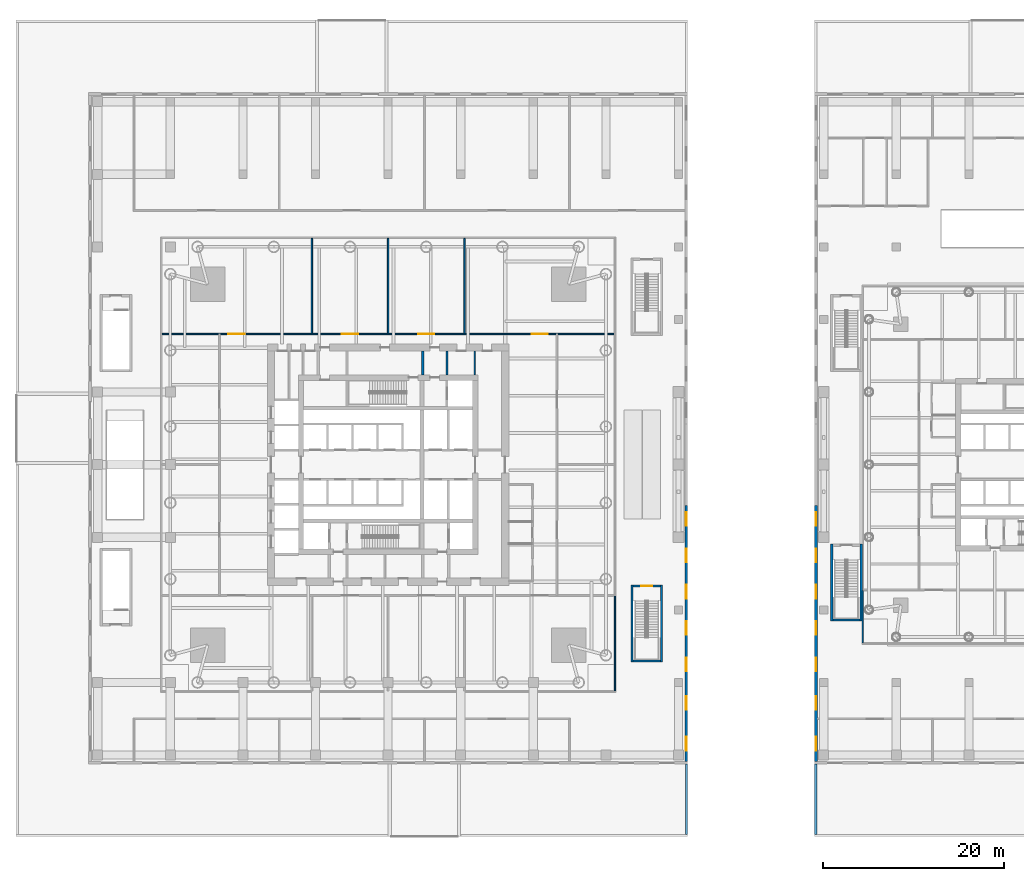
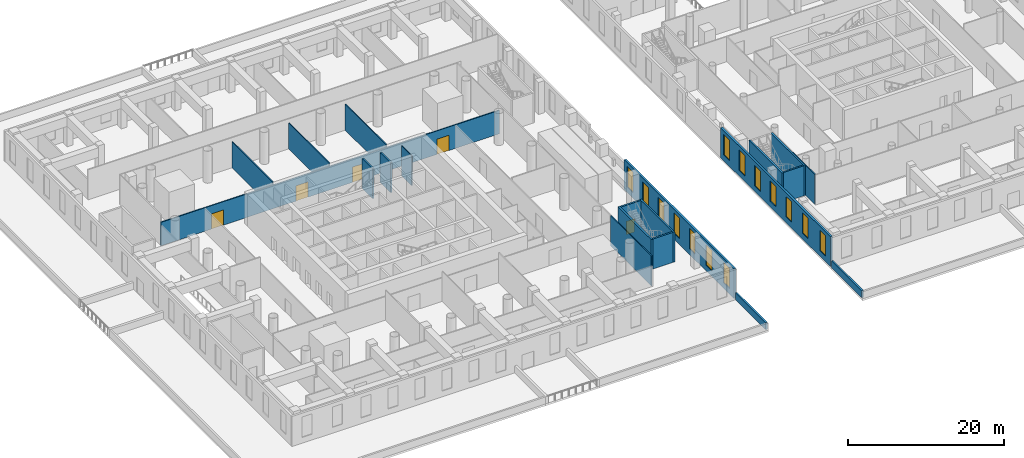
# One storey, part 13 of 26: 20 walls, 14 windows, 5 doors, 19 openings.
"""IFC4 building model written with IfcOpenShell, lengths in metres."""

from ifc_helpers import new_model, si_unit, direction, frame, frame_2d, origin, place, context, subcontext, project, spatial, rectangle, extrude, material, layer, layer_set, type_object, element, fill, save


model = new_model("IFC4")

# Units and contexts
model_context = context("Model", 3, precision=1e-05, world=origin(), true_north=direction((0.0, 1.0)))
body_context = subcontext(model_context, "Body", "Model", "MODEL_VIEW")
ifc_project = project(units=[si_unit("LENGTHUNIT", "METRE"), si_unit("AREAUNIT", "SQUARE_METRE"), si_unit("VOLUMEUNIT", "CUBIC_METRE"), si_unit("PLANEANGLEUNIT", "RADIAN"), si_unit("MASSUNIT", "GRAM", prefix="KILO")], contexts=[model_context])

# Site, building, storey
site_placement = place(None, origin())
site = spatial("IfcSite", under=ifc_project, at=site_placement, CompositionType="ELEMENT")
building_placement = place(site_placement, origin())
building = spatial("IfcBuilding", under=site, at=building_placement, Name="Ostroluk Exchange", CompositionType="ELEMENT")
storey_placement = place(building_placement, frame((0.0, 0.0, 6.0)))
storey = spatial("IfcBuildingStorey", under=building, at=storey_placement, Name="L01", CompositionType="ELEMENT", Elevation=6.0)

# Walls
ifc_material_1 = material(Name="Concrete blockwork", Category="masonry")
ifc_layer_1 = layer(ifc_material_1, 0.14990234375)
ifc_layer_set_1 = layer_set([ifc_layer_1], Name="Blockwork plant room wall 150")
wall_type_1 = type_object("IfcWallType", Name="Blockwork plant room wall 150", PredefinedType="SOLIDWALL", material=ifc_layer_set_1)
wall_1_placement = place(storey_placement, frame((54.550048828125, 55.89990234375, 0.0), z_axis=(0.0, 0.0, 1.0), x_axis=(0.0, 1.0, 0.0)))
element("IfcWall", 1, at=wall_1_placement, inside=storey, type_object=wall_type_1, Name="Core room wall", PredefinedType="SOLIDWALL", context=body_context, shape_type="SweptSolid", body=[
    extrude(rectangle(XDim=2.60009765625, YDim=0.14990234375, at=frame_2d((1.300048828125, 0.0))), origin(), (0.0, 0.0, 1.0), 4.699951171875),
])
ifc_material_2 = material(Name="Concrete blockwork", Category="masonry")
ifc_layer_2 = layer(ifc_material_2, 0.25)
ifc_layer_set_2 = layer_set([ifc_layer_2], Name="Blockwork stair enclosure wall 250")
wall_type_2 = type_object("IfcWallType", Name="Blockwork stair enclosure wall 250", PredefinedType="SOLIDWALL", material=ifc_layer_set_2)
for number, where, z_axis, x_axis, name in (
    (2, (48.804931640625, 55.89990234375, 0.0), (0.0, 0.0, 1.0), (0.0, 1.0, 0.0), "Fire lobby enclosure wall"),
    (3, (51.47509765625, 55.89990234375, 0.0), (0.0, 0.0, 1.0), (0.0, 1.0, 0.0), "Fire lobby enclosure wall"),
):
    element("IfcWall", number, at=place(storey_placement, frame(where, z_axis=z_axis, x_axis=x_axis)), inside=storey, type_object=wall_type_2, Name=name, PredefinedType="SOLIDWALL", context=body_context, shape_type="SweptSolid", body=[
        extrude(rectangle(XDim=2.60009765625, YDim=0.25, at=frame_2d((1.300048828125, 0.0))), origin(), (0.0, 0.0, 1.0), 4.699951171875),
    ])
for number, where, z_axis, x_axis, name in (
    (4, (71.875, 24.25, 0.0), (0.0, 0.0, 1.0), (0.0, 1.0, 0.0), "Stair PS3 enclosure wall"),
    (5, (75.125, 24.25, 0.0), (0.0, 0.0, 1.0), (0.0, 1.0, 0.0), "Stair PS3 enclosure wall"),
):
    element("IfcWall", number, at=place(storey_placement, frame(where, z_axis=z_axis, x_axis=x_axis)), inside=storey, type_object=wall_type_2, Name=name, PredefinedType="SOLIDWALL", context=body_context, shape_type="SweptSolid", body=[
        extrude(rectangle(XDim=8.5, YDim=0.25, at=frame_2d((4.25, 0.0))), origin(), (0.0, 0.0, 1.0), 4.699951171875),
    ])
wall_2_placement = place(storey_placement, frame((72.0, 24.375, 0.0), z_axis=(0.0, 0.0, 1.0), x_axis=(1.0, 0.0, 0.0)))
element("IfcWall", 6, at=wall_2_placement, inside=storey, type_object=wall_type_2, Name="Stair PS3 enclosure wall", PredefinedType="SOLIDWALL", context=body_context, shape_type="SweptSolid", body=[
    extrude(rectangle(XDim=3.0, YDim=0.25, at=frame_2d((1.5, 0.0))), origin(), (0.0, 0.0, 1.0), 4.699951171875),
])

# Wall, opening, door
wall_3_placement = place(storey_placement, frame((72.0, 32.625, 0.0), z_axis=(0.0, 0.0, 1.0), x_axis=(1.0, 0.0, 0.0)))
wall_3 = element("IfcWall", 7, at=wall_3_placement, inside=storey, type_object=wall_type_2, Name="Stair PS3 enclosure wall", PredefinedType="SOLIDWALL", context=body_context, shape_type="SweptSolid", body=[
    extrude(rectangle(XDim=3.0, YDim=0.25, at=frame_2d((1.5, 0.0))), origin(), (0.0, 0.0, 1.0), 4.699951171875),
])
opening_1_placement = place(wall_3_placement, frame((0.89990234375, 0.0, 0.0)))
opening_1 = element("IfcOpeningElement", 8, at=opening_1_placement, cuts=wall_3, Name="Opening FD60S", PredefinedType="OPENING", context=body_context, shape_type="SweptSolid", body=[
    extrude(rectangle(XDim=1.199951171875, YDim=2.10009765625, at=frame_2d((0.60009765625, 1.050048828125))), frame((0.0, 0.135009765625, 0.0), z_axis=(0.0, -1.0, 0.0), x_axis=(1.0, 0.0, 0.0)), (0.0, 0.0, 1.0), 0.27001953125),
])
ifc_material_3 = material(Name="Steel", Category="steel")
door_type_1 = type_object("IfcDoorType", Name="Stair door EI 60 1200 x 2100", OperationType="SINGLE_SWING_LEFT", PredefinedType="DOOR", material=ifc_material_3)
door_1_placement = place(opening_1_placement, origin())
door_1 = element("IfcDoor", 9, at=door_1_placement, inside=storey, type_object=door_type_1, Name="Stair PS3 door", OperationType="SINGLE_SWING_LEFT", OverallHeight=2.10009765625, OverallWidth=1.199951171875, PredefinedType="DOOR", context=body_context, shape_type="SweptSolid", body=[
    extrude(rectangle(XDim=1.199951171875, YDim=2.10009765625, at=frame_2d((0.60009765625, 1.050048828125))), frame((0.0, 0.02490234375, 0.0), z_axis=(0.0, -1.0, 0.0), x_axis=(1.0, 0.0, 0.0)), (0.0, 0.0, 1.0), 0.050048828125),
])
fill(opening_1, door_1)

# Walls
for number, where, z_axis, x_axis, name in (
    (10, (93.875, 28.75, 0.0), (0.0, 0.0, 1.0), (0.0, 1.0, 0.0), "Stair PS5 enclosure wall"),
    (11, (97.125, 28.75, 0.0), (0.0, 0.0, 1.0), (0.0, 1.0, 0.0), "Stair PS5 enclosure wall"),
):
    element("IfcWall", number, at=place(storey_placement, frame(where, z_axis=z_axis, x_axis=x_axis)), inside=storey, type_object=wall_type_2, Name=name, PredefinedType="SOLIDWALL", context=body_context, shape_type="SweptSolid", body=[
        extrude(rectangle(XDim=8.5, YDim=0.25, at=frame_2d((4.25, 0.0))), origin(), (0.0, 0.0, 1.0), 4.699951171875),
    ])
wall_4_placement = place(storey_placement, frame((94.0, 28.875, 0.0), z_axis=(0.0, 0.0, 1.0), x_axis=(1.0, 0.0, 0.0)))
element("IfcWall", 12, at=wall_4_placement, inside=storey, type_object=wall_type_2, Name="Stair PS5 enclosure wall", PredefinedType="SOLIDWALL", context=body_context, shape_type="SweptSolid", body=[
    extrude(rectangle(XDim=3.0, YDim=0.25, at=frame_2d((1.5, 0.0))), origin(), (0.0, 0.0, 1.0), 4.699951171875),
])
ifc_material_4 = material(Name="Limestone", Category="masonry")
ifc_layer_3 = layer(ifc_material_4, 0.25)
ifc_layer_set_3 = layer_set([ifc_layer_3], Name="Green roof parapet 250")
wall_type_3 = type_object("IfcWallType", Name="Green roof parapet 250", PredefinedType="PARAPET", material=ifc_layer_set_3)
for number, where, z_axis, x_axis, name in (
    (13, (77.875, 5.25, 0.0), (0.0, 0.0, 1.0), (0.0, 1.0, 0.0), "Green roof parapet L01 2"),
    (14, (92.125, 5.25, 0.0), (0.0, 0.0, 1.0), (0.0, 1.0, 0.0), "Green roof parapet L01 2"),
):
    element("IfcWall", number, at=place(storey_placement, frame(where, z_axis=z_axis, x_axis=x_axis)), inside=storey, type_object=wall_type_3, Name=name, PredefinedType="PARAPET", context=body_context, shape_type="SweptSolid", body=[
        extrude(rectangle(XDim=7.739990234375, YDim=0.25, at=frame_2d((3.8701171875, 0.0))), origin(), (0.0, 0.0, 1.0), 1.10009765625),
    ])

# Wall, openings, windows
ifc_material_5 = material(Name="Limestone", Category="masonry")
ifc_layer_4 = layer(ifc_material_5, 0.300048828125)
ifc_layer_set_4 = layer_set([ifc_layer_4], Name="Limestone facade wall 300")
wall_type_4 = type_object("IfcWallType", Name="Limestone facade wall 300", PredefinedType="SOLIDWALL", material=ifc_layer_set_4)
wall_5_placement = place(storey_placement, frame((77.85009765625, 13.300048828125, 0.0), z_axis=(0.0, 0.0, 1.0), x_axis=(0.0, 1.0, 0.0)))
wall_5 = element("IfcWall", 15, at=wall_5_placement, inside=storey, type_object=wall_type_4, Name="Podium west E wall L01 1a", PredefinedType="SOLIDWALL", context=body_context, shape_type="SweptSolid", body=[
    extrude(rectangle(XDim=28.199951171875, YDim=0.300048828125, at=frame_2d((14.10009765625, 0.0))), origin(), (0.0, 0.0, 1.0), 4.699951171875),
])
opening_2_placement = place(wall_5_placement, frame((1.199951171875, 0.0, 0.89990234375)))
opening_2 = element("IfcOpeningElement", 16, at=opening_2_placement, cuts=wall_5, Name="Opening WN-L2", PredefinedType="OPENING", context=body_context, shape_type="SweptSolid", body=[
    extrude(rectangle(XDim=1.5, YDim=3.199951171875, at=frame_2d((0.75, 1.60009765625))), frame((0.0, 0.159912109375, 0.0), z_axis=(0.0, -1.0, 0.0), x_axis=(1.0, 0.0, 0.0)), (0.0, 0.0, 1.0), 0.320068359375),
])
opening_3_placement = place(wall_5_placement, frame((5.699951171875, 0.0, 0.89990234375)))
opening_3 = element("IfcOpeningElement", 17, at=opening_3_placement, cuts=wall_5, Name="Opening WN-L2", PredefinedType="OPENING", context=body_context, shape_type="SweptSolid", body=[
    extrude(rectangle(XDim=1.5, YDim=3.199951171875, at=frame_2d((0.75, 1.60009765625))), frame((0.0, 0.159912109375, 0.0), z_axis=(0.0, -1.0, 0.0), x_axis=(1.0, 0.0, 0.0)), (0.0, 0.0, 1.0), 0.320068359375),
])
opening_4_placement = place(wall_5_placement, frame((9.949951171875, 0.0, 0.89990234375)))
opening_4 = element("IfcOpeningElement", 18, at=opening_4_placement, cuts=wall_5, Name="Opening WN-L2", PredefinedType="OPENING", context=body_context, shape_type="SweptSolid", body=[
    extrude(rectangle(XDim=1.5, YDim=3.199951171875, at=frame_2d((0.75, 1.60009765625))), frame((0.0, 0.159912109375, 0.0), z_axis=(0.0, -1.0, 0.0), x_axis=(1.0, 0.0, 0.0)), (0.0, 0.0, 1.0), 0.320068359375),
])
opening_5_placement = place(wall_5_placement, frame((13.949951171875, 0.0, 0.89990234375)))
opening_5 = element("IfcOpeningElement", 19, at=opening_5_placement, cuts=wall_5, Name="Opening WN-L2", PredefinedType="OPENING", context=body_context, shape_type="SweptSolid", body=[
    extrude(rectangle(XDim=1.5, YDim=3.199951171875, at=frame_2d((0.75, 1.60009765625))), frame((0.0, 0.159912109375, 0.0), z_axis=(0.0, -1.0, 0.0), x_axis=(1.0, 0.0, 0.0)), (0.0, 0.0, 1.0), 0.320068359375),
])
opening_6_placement = place(wall_5_placement, frame((17.949951171875, 0.0, 0.89990234375)))
opening_6 = element("IfcOpeningElement", 20, at=opening_6_placement, cuts=wall_5, Name="Opening WN-L2", PredefinedType="OPENING", context=body_context, shape_type="SweptSolid", body=[
    extrude(rectangle(XDim=1.5, YDim=3.199951171875, at=frame_2d((0.75, 1.60009765625))), frame((0.0, 0.159912109375, 0.0), z_axis=(0.0, -1.0, 0.0), x_axis=(1.0, 0.0, 0.0)), (0.0, 0.0, 1.0), 0.320068359375),
])
opening_7_placement = place(wall_5_placement, frame((21.949951171875, 0.0, 0.89990234375)))
opening_7 = element("IfcOpeningElement", 21, at=opening_7_placement, cuts=wall_5, Name="Opening WN-L2", PredefinedType="OPENING", context=body_context, shape_type="SweptSolid", body=[
    extrude(rectangle(XDim=1.5, YDim=3.199951171875, at=frame_2d((0.75, 1.60009765625))), frame((0.0, 0.159912109375, 0.0), z_axis=(0.0, -1.0, 0.0), x_axis=(1.0, 0.0, 0.0)), (0.0, 0.0, 1.0), 0.320068359375),
])
opening_8_placement = place(wall_5_placement, frame((25.949951171875, 0.0, 0.89990234375)))
opening_8 = element("IfcOpeningElement", 22, at=opening_8_placement, cuts=wall_5, Name="Opening WN-L2", PredefinedType="OPENING", context=body_context, shape_type="SweptSolid", body=[
    extrude(rectangle(XDim=1.5, YDim=3.199951171875, at=frame_2d((0.75, 1.60009765625))), frame((0.0, 0.159912109375, 0.0), z_axis=(0.0, -1.0, 0.0), x_axis=(1.0, 0.0, 0.0)), (0.0, 0.0, 1.0), 0.320068359375),
])
ifc_material_6 = material(Name="Laminated clear glass", Category="glass")
window_type = type_object("IfcWindowType", Name="Podium lancet window 1500 x 3200", PartitioningType="DOUBLE_PANEL_VERTICAL", PredefinedType="WINDOW", material=ifc_material_6)
window_1_placement = place(opening_2_placement, origin())
window_1 = element("IfcWindow", 23, at=window_1_placement, inside=storey, type_object=window_type, Name="Podium west lancet window E L01 1.1", OverallHeight=3.199951171875, OverallWidth=1.5, PartitioningType="SINGLE_PANEL", PredefinedType="WINDOW", context=body_context, shape_type="SweptSolid", body=[
    extrude(rectangle(XDim=1.5, YDim=3.199951171875, at=frame_2d((0.75, 1.60009765625))), frame((0.0, 0.030029296875, 0.0), z_axis=(0.0, -1.0, 0.0), x_axis=(1.0, 0.0, 0.0)), (0.0, 0.0, 1.0), 0.06005859375),
])
fill(opening_2, window_1)
window_2_placement = place(opening_3_placement, origin())
window_2 = element("IfcWindow", 24, at=window_2_placement, inside=storey, type_object=window_type, Name="Podium west lancet window E L01 1.2", OverallHeight=3.199951171875, OverallWidth=1.5, PartitioningType="SINGLE_PANEL", PredefinedType="WINDOW", context=body_context, shape_type="SweptSolid", body=[
    extrude(rectangle(XDim=1.5, YDim=3.199951171875, at=frame_2d((0.75, 1.60009765625))), frame((0.0, 0.030029296875, 0.0), z_axis=(0.0, -1.0, 0.0), x_axis=(1.0, 0.0, 0.0)), (0.0, 0.0, 1.0), 0.06005859375),
])
fill(opening_3, window_2)
window_3_placement = place(opening_4_placement, origin())
window_3 = element("IfcWindow", 25, at=window_3_placement, inside=storey, type_object=window_type, Name="Podium west lancet window E L01 2.1", OverallHeight=3.199951171875, OverallWidth=1.5, PartitioningType="SINGLE_PANEL", PredefinedType="WINDOW", context=body_context, shape_type="SweptSolid", body=[
    extrude(rectangle(XDim=1.5, YDim=3.199951171875, at=frame_2d((0.75, 1.60009765625))), frame((0.0, 0.030029296875, 0.0), z_axis=(0.0, -1.0, 0.0), x_axis=(1.0, 0.0, 0.0)), (0.0, 0.0, 1.0), 0.06005859375),
])
fill(opening_4, window_3)
window_4_placement = place(opening_5_placement, origin())
window_4 = element("IfcWindow", 26, at=window_4_placement, inside=storey, type_object=window_type, Name="Podium west lancet window E L01 2.2", OverallHeight=3.199951171875, OverallWidth=1.5, PartitioningType="SINGLE_PANEL", PredefinedType="WINDOW", context=body_context, shape_type="SweptSolid", body=[
    extrude(rectangle(XDim=1.5, YDim=3.199951171875, at=frame_2d((0.75, 1.60009765625))), frame((0.0, 0.030029296875, 0.0), z_axis=(0.0, -1.0, 0.0), x_axis=(1.0, 0.0, 0.0)), (0.0, 0.0, 1.0), 0.06005859375),
])
fill(opening_5, window_4)
window_5_placement = place(opening_6_placement, origin())
window_5 = element("IfcWindow", 27, at=window_5_placement, inside=storey, type_object=window_type, Name="Podium west lancet window E L01 3.1", OverallHeight=3.199951171875, OverallWidth=1.5, PartitioningType="SINGLE_PANEL", PredefinedType="WINDOW", context=body_context, shape_type="SweptSolid", body=[
    extrude(rectangle(XDim=1.5, YDim=3.199951171875, at=frame_2d((0.75, 1.60009765625))), frame((0.0, 0.030029296875, 0.0), z_axis=(0.0, -1.0, 0.0), x_axis=(1.0, 0.0, 0.0)), (0.0, 0.0, 1.0), 0.06005859375),
])
fill(opening_6, window_5)
window_6_placement = place(opening_7_placement, origin())
window_6 = element("IfcWindow", 28, at=window_6_placement, inside=storey, type_object=window_type, Name="Podium west lancet window E L01 3.2", OverallHeight=3.199951171875, OverallWidth=1.5, PartitioningType="SINGLE_PANEL", PredefinedType="WINDOW", context=body_context, shape_type="SweptSolid", body=[
    extrude(rectangle(XDim=1.5, YDim=3.199951171875, at=frame_2d((0.75, 1.60009765625))), frame((0.0, 0.030029296875, 0.0), z_axis=(0.0, -1.0, 0.0), x_axis=(1.0, 0.0, 0.0)), (0.0, 0.0, 1.0), 0.06005859375),
])
fill(opening_7, window_6)
window_7_placement = place(opening_8_placement, origin())
window_7 = element("IfcWindow", 29, at=window_7_placement, inside=storey, type_object=window_type, Name="Podium west lancet window E L01 4.1", OverallHeight=3.199951171875, OverallWidth=1.5, PartitioningType="SINGLE_PANEL", PredefinedType="WINDOW", context=body_context, shape_type="SweptSolid", body=[
    extrude(rectangle(XDim=1.5, YDim=3.199951171875, at=frame_2d((0.75, 1.60009765625))), frame((0.0, 0.030029296875, 0.0), z_axis=(0.0, -1.0, 0.0), x_axis=(1.0, 0.0, 0.0)), (0.0, 0.0, 1.0), 0.06005859375),
])
fill(opening_8, window_7)

wall_6_placement = place(storey_placement, frame((92.14990234375, 41.5, 0.0), z_axis=(0.0, 0.0, 1.0), x_axis=(0.0, -1.0, 0.0)))
wall_6 = element("IfcWall", 30, at=wall_6_placement, inside=storey, type_object=wall_type_4, Name="Podium east W wall L01 1c", PredefinedType="SOLIDWALL", context=body_context, shape_type="SweptSolid", body=[
    extrude(rectangle(XDim=28.199951171875, YDim=0.300048828125, at=frame_2d((14.10009765625, 0.0))), origin(), (0.0, 0.0, 1.0), 4.699951171875),
])
opening_9_placement = place(wall_6_placement, frame((0.75, 0.0, 0.89990234375)))
opening_9 = element("IfcOpeningElement", 31, at=opening_9_placement, cuts=wall_6, Name="Opening WN-L2", PredefinedType="OPENING", context=body_context, shape_type="SweptSolid", body=[
    extrude(rectangle(XDim=1.5, YDim=3.199951171875, at=frame_2d((0.75, 1.60009765625))), frame((0.0, 0.159912109375, 0.0), z_axis=(0.0, -1.0, 0.0), x_axis=(1.0, 0.0, 0.0)), (0.0, 0.0, 1.0), 0.320068359375),
])
opening_10_placement = place(wall_6_placement, frame((4.75, 0.0, 0.89990234375)))
opening_10 = element("IfcOpeningElement", 32, at=opening_10_placement, cuts=wall_6, Name="Opening WN-L2", PredefinedType="OPENING", context=body_context, shape_type="SweptSolid", body=[
    extrude(rectangle(XDim=1.5, YDim=3.199951171875, at=frame_2d((0.75, 1.60009765625))), frame((0.0, 0.159912109375, 0.0), z_axis=(0.0, -1.0, 0.0), x_axis=(1.0, 0.0, 0.0)), (0.0, 0.0, 1.0), 0.320068359375),
])
opening_11_placement = place(wall_6_placement, frame((8.75, 0.0, 0.89990234375)))
opening_11 = element("IfcOpeningElement", 33, at=opening_11_placement, cuts=wall_6, Name="Opening WN-L2", PredefinedType="OPENING", context=body_context, shape_type="SweptSolid", body=[
    extrude(rectangle(XDim=1.5, YDim=3.199951171875, at=frame_2d((0.75, 1.60009765625))), frame((0.0, 0.159912109375, 0.0), z_axis=(0.0, -1.0, 0.0), x_axis=(1.0, 0.0, 0.0)), (0.0, 0.0, 1.0), 0.320068359375),
])
opening_12_placement = place(wall_6_placement, frame((12.75, 0.0, 0.89990234375)))
opening_12 = element("IfcOpeningElement", 34, at=opening_12_placement, cuts=wall_6, Name="Opening WN-L2", PredefinedType="OPENING", context=body_context, shape_type="SweptSolid", body=[
    extrude(rectangle(XDim=1.5, YDim=3.199951171875, at=frame_2d((0.75, 1.60009765625))), frame((0.0, 0.159912109375, 0.0), z_axis=(0.0, -1.0, 0.0), x_axis=(1.0, 0.0, 0.0)), (0.0, 0.0, 1.0), 0.320068359375),
])
opening_13_placement = place(wall_6_placement, frame((16.75, 0.0, 0.89990234375)))
opening_13 = element("IfcOpeningElement", 35, at=opening_13_placement, cuts=wall_6, Name="Opening WN-L2", PredefinedType="OPENING", context=body_context, shape_type="SweptSolid", body=[
    extrude(rectangle(XDim=1.5, YDim=3.199951171875, at=frame_2d((0.75, 1.60009765625))), frame((0.0, 0.159912109375, 0.0), z_axis=(0.0, -1.0, 0.0), x_axis=(1.0, 0.0, 0.0)), (0.0, 0.0, 1.0), 0.320068359375),
])
opening_14_placement = place(wall_6_placement, frame((21.0, 0.0, 0.89990234375)))
opening_14 = element("IfcOpeningElement", 36, at=opening_14_placement, cuts=wall_6, Name="Opening WN-L2", PredefinedType="OPENING", context=body_context, shape_type="SweptSolid", body=[
    extrude(rectangle(XDim=1.5, YDim=3.199951171875, at=frame_2d((0.75, 1.60009765625))), frame((0.0, 0.159912109375, 0.0), z_axis=(0.0, -1.0, 0.0), x_axis=(1.0, 0.0, 0.0)), (0.0, 0.0, 1.0), 0.320068359375),
])
opening_15_placement = place(wall_6_placement, frame((25.5, 0.0, 0.89990234375)))
opening_15 = element("IfcOpeningElement", 37, at=opening_15_placement, cuts=wall_6, Name="Opening WN-L2", PredefinedType="OPENING", context=body_context, shape_type="SweptSolid", body=[
    extrude(rectangle(XDim=1.5, YDim=3.199951171875, at=frame_2d((0.75, 1.60009765625))), frame((0.0, 0.159912109375, 0.0), z_axis=(0.0, -1.0, 0.0), x_axis=(1.0, 0.0, 0.0)), (0.0, 0.0, 1.0), 0.320068359375),
])
window_8_placement = place(opening_9_placement, origin())
window_8 = element("IfcWindow", 38, at=window_8_placement, inside=storey, type_object=window_type, Name="Podium east lancet window W L01 6.2", OverallHeight=3.199951171875, OverallWidth=1.5, PartitioningType="SINGLE_PANEL", PredefinedType="WINDOW", context=body_context, shape_type="SweptSolid", body=[
    extrude(rectangle(XDim=1.5, YDim=3.199951171875, at=frame_2d((0.75, 1.60009765625))), frame((0.0, 0.030029296875, 0.0), z_axis=(0.0, -1.0, 0.0), x_axis=(1.0, 0.0, 0.0)), (0.0, 0.0, 1.0), 0.06005859375),
])
fill(opening_9, window_8)
window_9_placement = place(opening_10_placement, origin())
window_9 = element("IfcWindow", 39, at=window_9_placement, inside=storey, type_object=window_type, Name="Podium east lancet window W L01 7.1", OverallHeight=3.199951171875, OverallWidth=1.5, PartitioningType="SINGLE_PANEL", PredefinedType="WINDOW", context=body_context, shape_type="SweptSolid", body=[
    extrude(rectangle(XDim=1.5, YDim=3.199951171875, at=frame_2d((0.75, 1.60009765625))), frame((0.0, 0.030029296875, 0.0), z_axis=(0.0, -1.0, 0.0), x_axis=(1.0, 0.0, 0.0)), (0.0, 0.0, 1.0), 0.06005859375),
])
fill(opening_10, window_9)
window_10_placement = place(opening_11_placement, origin())
window_10 = element("IfcWindow", 40, at=window_10_placement, inside=storey, type_object=window_type, Name="Podium east lancet window W L01 7.2", OverallHeight=3.199951171875, OverallWidth=1.5, PartitioningType="SINGLE_PANEL", PredefinedType="WINDOW", context=body_context, shape_type="SweptSolid", body=[
    extrude(rectangle(XDim=1.5, YDim=3.199951171875, at=frame_2d((0.75, 1.60009765625))), frame((0.0, 0.030029296875, 0.0), z_axis=(0.0, -1.0, 0.0), x_axis=(1.0, 0.0, 0.0)), (0.0, 0.0, 1.0), 0.06005859375),
])
fill(opening_11, window_10)
window_11_placement = place(opening_12_placement, origin())
window_11 = element("IfcWindow", 41, at=window_11_placement, inside=storey, type_object=window_type, Name="Podium east lancet window W L01 8.1", OverallHeight=3.199951171875, OverallWidth=1.5, PartitioningType="SINGLE_PANEL", PredefinedType="WINDOW", context=body_context, shape_type="SweptSolid", body=[
    extrude(rectangle(XDim=1.5, YDim=3.199951171875, at=frame_2d((0.75, 1.60009765625))), frame((0.0, 0.030029296875, 0.0), z_axis=(0.0, -1.0, 0.0), x_axis=(1.0, 0.0, 0.0)), (0.0, 0.0, 1.0), 0.06005859375),
])
fill(opening_12, window_11)
window_12_placement = place(opening_13_placement, origin())
window_12 = element("IfcWindow", 42, at=window_12_placement, inside=storey, type_object=window_type, Name="Podium east lancet window W L01 8.2", OverallHeight=3.199951171875, OverallWidth=1.5, PartitioningType="SINGLE_PANEL", PredefinedType="WINDOW", context=body_context, shape_type="SweptSolid", body=[
    extrude(rectangle(XDim=1.5, YDim=3.199951171875, at=frame_2d((0.75, 1.60009765625))), frame((0.0, 0.030029296875, 0.0), z_axis=(0.0, -1.0, 0.0), x_axis=(1.0, 0.0, 0.0)), (0.0, 0.0, 1.0), 0.06005859375),
])
fill(opening_13, window_12)
window_13_placement = place(opening_14_placement, origin())
window_13 = element("IfcWindow", 43, at=window_13_placement, inside=storey, type_object=window_type, Name="Podium east lancet window W L01 9.1", OverallHeight=3.199951171875, OverallWidth=1.5, PartitioningType="SINGLE_PANEL", PredefinedType="WINDOW", context=body_context, shape_type="SweptSolid", body=[
    extrude(rectangle(XDim=1.5, YDim=3.199951171875, at=frame_2d((0.75, 1.60009765625))), frame((0.0, 0.030029296875, 0.0), z_axis=(0.0, -1.0, 0.0), x_axis=(1.0, 0.0, 0.0)), (0.0, 0.0, 1.0), 0.06005859375),
])
fill(opening_14, window_13)
window_14_placement = place(opening_15_placement, origin())
window_14 = element("IfcWindow", 44, at=window_14_placement, inside=storey, type_object=window_type, Name="Podium east lancet window W L01 9.2", OverallHeight=3.199951171875, OverallWidth=1.5, PartitioningType="SINGLE_PANEL", PredefinedType="WINDOW", context=body_context, shape_type="SweptSolid", body=[
    extrude(rectangle(XDim=1.5, YDim=3.199951171875, at=frame_2d((0.75, 1.60009765625))), frame((0.0, 0.030029296875, 0.0), z_axis=(0.0, -1.0, 0.0), x_axis=(1.0, 0.0, 0.0)), (0.0, 0.0, 1.0), 0.06005859375),
])
fill(opening_15, window_14)

# Wall
ifc_material_7 = material(Name="Gypsum plasterboard partition", Category="gypsum")
ifc_layer_5 = layer(ifc_material_7, 0.14990234375)
ifc_layer_set_5 = layer_set([ifc_layer_5], Name="Plasterboard partition 150")
wall_type_5 = type_object("IfcWallType", Name="Plasterboard partition 150", PredefinedType="PARTITIONING", material=ifc_layer_set_5)
wall_7_placement = place(storey_placement, frame((70.0, 21.074951171875, 0.0), z_axis=(0.0, 0.0, 1.0), x_axis=(0.0, 1.0, 0.0)))
element("IfcWall", 45, at=wall_7_placement, inside=storey, type_object=wall_type_5, Name="Partition", PredefinedType="PARTITIONING", context=body_context, shape_type="SweptSolid", body=[
    extrude(rectangle(XDim=10.449951171875, YDim=0.14990234375, at=frame_2d((5.22509765625, 0.0))), origin(), (0.0, 0.0, 1.0), 4.699951171875),
])

# Wall, openings, doors
wall_8_placement = place(storey_placement, frame((19.925048828125, 60.39990234375, 0.0), z_axis=(0.0, 0.0, 1.0), x_axis=(1.0, 0.0, 0.0)))
wall_8 = element("IfcWall", 46, at=wall_8_placement, inside=storey, type_object=wall_type_5, Name="Partition", PredefinedType="PARTITIONING", context=body_context, shape_type="SweptSolid", body=[
    extrude(rectangle(XDim=50.14990234375, YDim=0.14990234375, at=frame_2d((25.074951171875, 0.0))), origin(), (0.0, 0.0, 1.0), 3.68798828125),
])
opening_16_placement = place(wall_8_placement, frame((7.47509765625, 0.0, 0.0)))
opening_16 = element("IfcOpeningElement", 47, at=opening_16_placement, cuts=wall_8, Name="Opening D-04", PredefinedType="OPENING", context=body_context, shape_type="SweptSolid", body=[
    extrude(rectangle(XDim=1.800048828125, YDim=2.39990234375, at=frame_2d((0.89990234375, 1.199951171875))), frame((0.0, 0.0849609375, 0.0), z_axis=(0.0, -1.0, 0.0), x_axis=(1.0, 0.0, 0.0)), (0.0, 0.0, 1.0), 0.169921875),
])
opening_17_placement = place(wall_8_placement, frame((19.97509765625, 0.0, 0.0)))
opening_17 = element("IfcOpeningElement", 48, at=opening_17_placement, cuts=wall_8, Name="Opening D-04", PredefinedType="OPENING", context=body_context, shape_type="SweptSolid", body=[
    extrude(rectangle(XDim=1.800048828125, YDim=2.39990234375, at=frame_2d((0.89990234375, 1.199951171875))), frame((0.0, 0.0849609375, 0.0), z_axis=(0.0, -1.0, 0.0), x_axis=(1.0, 0.0, 0.0)), (0.0, 0.0, 1.0), 0.169921875),
])
opening_18_placement = place(wall_8_placement, frame((28.375, 0.0, 0.0)))
opening_18 = element("IfcOpeningElement", 49, at=opening_18_placement, cuts=wall_8, Name="Opening D-04", PredefinedType="OPENING", context=body_context, shape_type="SweptSolid", body=[
    extrude(rectangle(XDim=1.800048828125, YDim=2.39990234375, at=frame_2d((0.89990234375, 1.199951171875))), frame((0.0, 0.0849609375, 0.0), z_axis=(0.0, -1.0, 0.0), x_axis=(1.0, 0.0, 0.0)), (0.0, 0.0, 1.0), 0.169921875),
])
opening_19_placement = place(wall_8_placement, frame((40.875, 0.0, 0.0)))
opening_19 = element("IfcOpeningElement", 50, at=opening_19_placement, cuts=wall_8, Name="Opening D-04", PredefinedType="OPENING", context=body_context, shape_type="SweptSolid", body=[
    extrude(rectangle(XDim=1.800048828125, YDim=2.39990234375, at=frame_2d((0.89990234375, 1.199951171875))), frame((0.0, 0.0849609375, 0.0), z_axis=(0.0, -1.0, 0.0), x_axis=(1.0, 0.0, 0.0)), (0.0, 0.0, 1.0), 0.169921875),
])
ifc_material_8 = material(Name="Timber", Category="wood")
door_type_2 = type_object("IfcDoorType", Name="Double door 1800 x 2400", OperationType="DOUBLE_DOOR_SINGLE_SWING", PredefinedType="DOOR", material=ifc_material_8)
door_2_placement = place(opening_16_placement, origin())
door_2 = element("IfcDoor", 51, at=door_2_placement, inside=storey, type_object=door_type_2, Name="Retail unit door", OperationType="DOUBLE_DOOR_SINGLE_SWING", OverallHeight=2.39990234375, OverallWidth=1.800048828125, PredefinedType="DOOR", context=body_context, shape_type="SweptSolid", body=[
    extrude(rectangle(XDim=1.800048828125, YDim=2.39990234375, at=frame_2d((0.89990234375, 1.199951171875))), frame((0.0, 0.02490234375, 0.0), z_axis=(0.0, -1.0, 0.0), x_axis=(1.0, 0.0, 0.0)), (0.0, 0.0, 1.0), 0.050048828125),
])
fill(opening_16, door_2)
door_3_placement = place(opening_17_placement, origin())
door_3 = element("IfcDoor", 52, at=door_3_placement, inside=storey, type_object=door_type_2, Name="Goods store door", OperationType="DOUBLE_DOOR_SINGLE_SWING", OverallHeight=2.39990234375, OverallWidth=1.800048828125, PredefinedType="DOOR", context=body_context, shape_type="SweptSolid", body=[
    extrude(rectangle(XDim=1.800048828125, YDim=2.39990234375, at=frame_2d((0.89990234375, 1.199951171875))), frame((0.0, 0.02490234375, 0.0), z_axis=(0.0, -1.0, 0.0), x_axis=(1.0, 0.0, 0.0)), (0.0, 0.0, 1.0), 0.050048828125),
])
fill(opening_17, door_3)
door_4_placement = place(opening_18_placement, origin())
door_4 = element("IfcDoor", 53, at=door_4_placement, inside=storey, type_object=door_type_2, Name="Retail unit door", OperationType="DOUBLE_DOOR_SINGLE_SWING", OverallHeight=2.39990234375, OverallWidth=1.800048828125, PredefinedType="DOOR", context=body_context, shape_type="SweptSolid", body=[
    extrude(rectangle(XDim=1.800048828125, YDim=2.39990234375, at=frame_2d((0.89990234375, 1.199951171875))), frame((0.0, 0.02490234375, 0.0), z_axis=(0.0, -1.0, 0.0), x_axis=(1.0, 0.0, 0.0)), (0.0, 0.0, 1.0), 0.050048828125),
])
fill(opening_18, door_4)
door_5_placement = place(opening_19_placement, origin())
door_5 = element("IfcDoor", 54, at=door_5_placement, inside=storey, type_object=door_type_2, Name="Goods store door", OperationType="DOUBLE_DOOR_SINGLE_SWING", OverallHeight=2.39990234375, OverallWidth=1.800048828125, PredefinedType="DOOR", context=body_context, shape_type="SweptSolid", body=[
    extrude(rectangle(XDim=1.800048828125, YDim=2.39990234375, at=frame_2d((0.89990234375, 1.199951171875))), frame((0.0, 0.02490234375, 0.0), z_axis=(0.0, -1.0, 0.0), x_axis=(1.0, 0.0, 0.0)), (0.0, 0.0, 1.0), 0.050048828125),
])
fill(opening_19, door_5)

# Walls
for number, where, z_axis, x_axis, name in (
    (55, (36.60009765625, 60.47509765625, 0.0), (0.0, 0.0, 1.0), (0.0, 1.0, 0.0), "Partition"),
    (56, (45.0, 60.47509765625, 0.0), (0.0, 0.0, 1.0), (0.0, 1.0, 0.0), "Partition"),
    (57, (53.39990234375, 60.47509765625, 0.0), (0.0, 0.0, 1.0), (0.0, 1.0, 0.0), "Partition"),
):
    element("IfcWall", number, at=place(storey_placement, frame(where, z_axis=z_axis, x_axis=x_axis)), inside=storey, type_object=wall_type_5, Name=name, PredefinedType="PARTITIONING", context=body_context, shape_type="SweptSolid", body=[
        extrude(rectangle(XDim=10.449951171875, YDim=0.14990234375, at=frame_2d((5.22509765625, 0.0))), origin(), (0.0, 0.0, 1.0), 4.080078125),
    ])
wall_9_placement = place(storey_placement, frame((97.300048828125, 26.375, 0.0), z_axis=(0.0, 0.0, 1.0), x_axis=(0.0, 1.0, 0.0)))
element("IfcWall", 58, at=wall_9_placement, inside=storey, type_object=wall_type_5, Name="Partition", PredefinedType="PARTITIONING", context=body_context, shape_type="SweptSolid", body=[
    extrude(rectangle(XDim=5.75, YDim=0.14990234375, at=frame_2d((2.875, 0.0))), origin(), (0.0, 0.0, 1.0), 4.699951171875),
])

save(model, "model.ifc")
